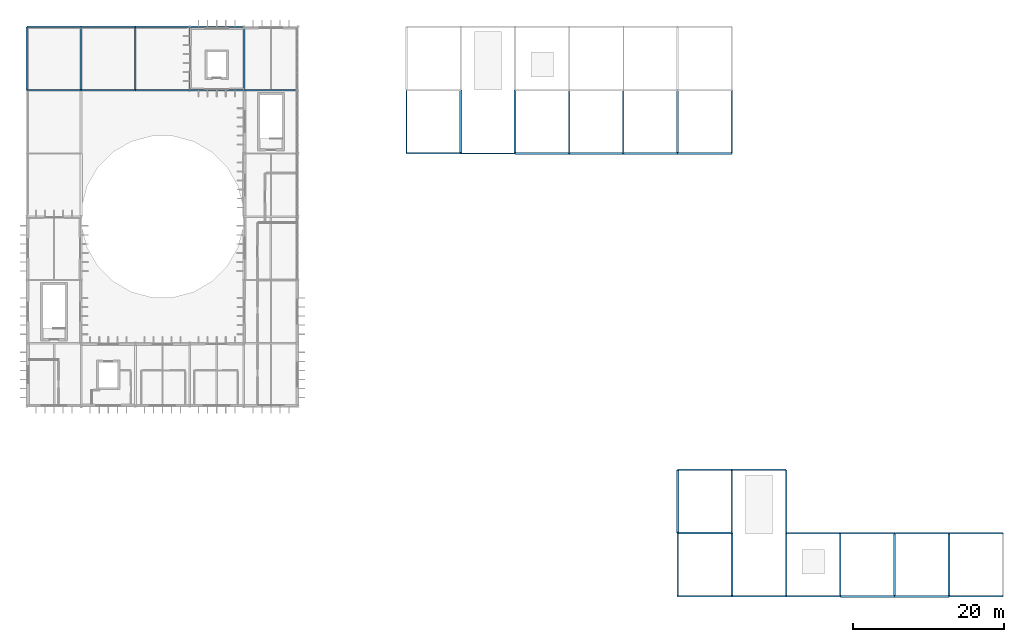
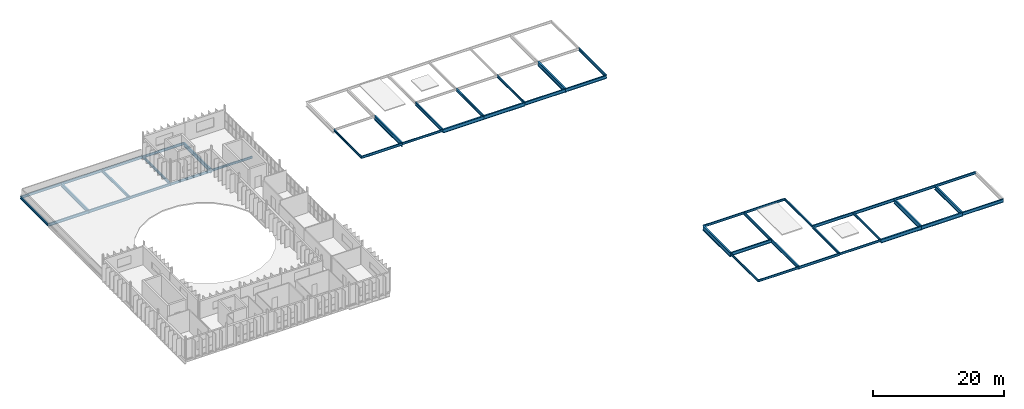
# One storey, part 9 of 18: 49 beams.
"""IFC4 building model written with IfcOpenShell, lengths in metres."""

from ifc_helpers import new_model, si_unit, direction, frame, origin, origin_2d, place, context, subcontext, project, spatial, i_section, extrude, material, material_profile, profile_set, type_object, element, save


model = new_model("IFC4")

# Units and contexts
model_context = context("Model", 3, precision=1e-05, world=origin(), true_north=direction((0.0, 1.0)))
body_context = subcontext(model_context, "Body", "Model", "MODEL_VIEW")
ifc_project = project(units=[si_unit("LENGTHUNIT", "METRE"), si_unit("AREAUNIT", "SQUARE_METRE"), si_unit("VOLUMEUNIT", "CUBIC_METRE"), si_unit("PLANEANGLEUNIT", "RADIAN"), si_unit("MASSUNIT", "GRAM", prefix="KILO")], contexts=[model_context])

# Site, building, storey
site_placement = place(None, origin())
site = spatial("IfcSite", under=ifc_project, at=site_placement, CompositionType="ELEMENT")
building_placement = place(site_placement, origin())
building = spatial("IfcBuilding", under=site, at=building_placement, Name="Qelthora Terrace Specialist Clinic", CompositionType="ELEMENT")
storey_placement = place(building_placement, frame((0.0, 0.0, 21.60009765625)))
storey = spatial("IfcBuildingStorey", under=building, at=storey_placement, Name="L05", CompositionType="ELEMENT", Elevation=21.60009765625)

# Beams
ifc_material = material(Name="Steel S355", Category="steel")
ifc_material_profile_1 = material_profile(ifc_material, i_section(OverallWidth=0.178955078125, OverallDepth=0.409912109375, WebThickness=0.0087890625, FlangeThickness=0.014404296875, FilletRadius=0.011962890625, at=origin_2d()), Name="W410X67")
ifc_profile_set_1 = profile_set([ifc_material_profile_1], Name="Steel S355")
beam_type_1 = type_object("IfcBeamType", Name="BM-W410X67", PredefinedType="BEAM", material=ifc_profile_set_1)
for number, where, z_axis, x_axis, name in (
    (1, (93.60009765625, 33.60009765625, -0.455078125), (1.0, 0.0, 0.0), (0.0, 1.0, 0.0), "Girder BMX-L05-1286"),
    (2, (108.0, 33.60009765625, -0.455078125), (1.0, 0.0, 0.0), (0.0, 1.0, 0.0), "Girder BMX-L05-1288"),
    (3, (100.800048828125, 50.39990234375, -0.455078125), (1.0, 0.0, 0.0), (0.0, 1.0, 0.0), "Girder BMX-L05-1298"),
    (4, (64.800048828125, 92.39990234375, -0.455078125), (1.0, 0.0, 0.0), (0.0, 1.0, 0.0), "Girder BMX-L05-1316"),
):
    element("IfcBeam", number, at=place(storey_placement, frame(where, z_axis=z_axis, x_axis=x_axis)), inside=storey, type_object=beam_type_1, Name=name, PredefinedType="BEAM", context=body_context, shape_type="SweptSolid", body=[
        extrude(i_section(OverallWidth=0.178955078125, OverallDepth=0.409912109375, WebThickness=0.0087890625, FlangeThickness=0.014404296875, FilletRadius=0.011962890625, at=origin_2d()), origin(), (0.0, 0.0, 1.0), 7.199951171875),
    ])
beam_1_placement = place(storey_placement, frame((57.60009765625, 92.39990234375, -0.455078125), z_axis=(0.0, 1.0, 0.0), x_axis=(-1.0, 0.0, 0.0)))
element("IfcBeam", 5, at=beam_1_placement, inside=storey, type_object=beam_type_1, Name="Girder BMY-L05-1370", PredefinedType="BEAM", context=body_context, shape_type="SweptSolid", body=[
    extrude(i_section(OverallWidth=0.178955078125, OverallDepth=0.409912109375, WebThickness=0.0087890625, FlangeThickness=0.014404296875, FilletRadius=0.011962890625, at=origin_2d()), origin(), (0.0, 0.0, 1.0), 8.400146484375),
])
for number, where, z_axis, x_axis, name in (
    (6, (93.60009765625, 33.60009765625, -0.455078125), (0.0, 1.0, 0.0), (-1.0, 0.0, 0.0), "Girder BMY-L05-1380"),
    (7, (115.199951171875, 33.60009765625, -0.455078125), (0.0, 1.0, 0.0), (-1.0, 0.0, 0.0), "Girder BMY-L05-1390"),
):
    element("IfcBeam", number, at=place(storey_placement, frame(where, z_axis=z_axis, x_axis=x_axis)), inside=storey, type_object=beam_type_1, Name=name, PredefinedType="BEAM", context=body_context, shape_type="SweptSolid", body=[
        extrude(i_section(OverallWidth=0.178955078125, OverallDepth=0.409912109375, WebThickness=0.0087890625, FlangeThickness=0.014404296875, FilletRadius=0.011962890625, at=origin_2d()), origin(), (0.0, 0.0, 1.0), 8.39990234375),
    ])
ifc_material_profile_2 = material_profile(ifc_material, i_section(OverallWidth=0.179931640625, OverallDepth=0.4130859375, WebThickness=0.009765625, FlangeThickness=0.01611328125, FilletRadius=0.011962890625, at=origin_2d()), Name="W410X75")
ifc_profile_set_2 = profile_set([ifc_material_profile_2], Name="Steel S355")
beam_type_2 = type_object("IfcBeamType", Name="BM-W410X75", PredefinedType="BEAM", material=ifc_profile_set_2)
for number, where, z_axis, x_axis, name in (
    (8, (93.60009765625, 50.39990234375, -0.45654296875), (1.0, 0.0, 0.0), (0.0, 1.0, 0.0), "Girder BMX-L05-1297"),
    (9, (36.0, 100.800048828125, -0.45654296875), (1.0, 0.0, 0.0), (0.0, 1.0, 0.0), "Girder BMX-L05-1325"),
):
    element("IfcBeam", number, at=place(storey_placement, frame(where, z_axis=z_axis, x_axis=x_axis)), inside=storey, type_object=beam_type_2, Name=name, PredefinedType="BEAM", context=body_context, shape_type="SweptSolid", body=[
        extrude(i_section(OverallWidth=0.179931640625, OverallDepth=0.4130859375, WebThickness=0.009765625, FlangeThickness=0.01611328125, FilletRadius=0.011962890625, at=origin_2d()), origin(), (0.0, 0.0, 1.0), 7.199951171875),
    ])
beam_2_placement = place(storey_placement, frame((108.0, 42.0, -0.45654296875), z_axis=(0.0, 1.0, 0.0), x_axis=(-1.0, 0.0, 0.0)))
element("IfcBeam", 10, at=beam_2_placement, inside=storey, type_object=beam_type_2, Name="Girder BMY-L05-1389", PredefinedType="BEAM", context=body_context, shape_type="SweptSolid", body=[
    extrude(i_section(OverallWidth=0.179931640625, OverallDepth=0.4130859375, WebThickness=0.009765625, FlangeThickness=0.01611328125, FilletRadius=0.011962890625, at=origin_2d()), origin(), (0.0, 0.0, 1.0), 8.39990234375),
])
ifc_material_profile_3 = material_profile(ifc_material, i_section(OverallWidth=0.19091796875, OverallDepth=0.4599609375, WebThickness=0.010009765625, FlangeThickness=0.01611328125, FilletRadius=0.012939453125, at=origin_2d()), Name="W460X82")
ifc_profile_set_3 = profile_set([ifc_material_profile_3], Name="Steel S355")
beam_type_3 = type_object("IfcBeamType", Name="BM-W460X82", PredefinedType="BEAM", material=ifc_profile_set_3)
for number, where, z_axis, x_axis, name in (
    (11, (100.800048828125, 33.60009765625, -0.47998046875), (1.0, 0.0, 0.0), (0.0, 1.0, 0.0), "Girder BMX-L05-1287"),
    (12, (129.60009765625, 42.0, -0.47998046875), (1.0, 0.0, 0.0), (0.0, 1.0, 0.0), "Girder BMX-L05-1296"),
    (13, (57.60009765625, 92.39990234375, -0.47998046875), (1.0, 0.0, 0.0), (0.0, 1.0, 0.0), "Girder BMX-L05-1315"),
    (14, (28.800048828125, 100.800048828125, -0.47998046875), (1.0, 0.0, 0.0), (0.0, 1.0, 0.0), "Girder BMX-L05-1324"),
):
    element("IfcBeam", number, at=place(storey_placement, frame(where, z_axis=z_axis, x_axis=x_axis)), inside=storey, type_object=beam_type_3, Name=name, PredefinedType="BEAM", context=body_context, shape_type="SweptSolid", body=[
        extrude(i_section(OverallWidth=0.19091796875, OverallDepth=0.4599609375, WebThickness=0.010009765625, FlangeThickness=0.01611328125, FilletRadius=0.012939453125, at=origin_2d()), origin(), (0.0, 0.0, 1.0), 7.199951171875),
    ])
beam_3_placement = place(storey_placement, frame((86.39990234375, 92.39990234375, -0.47998046875), z_axis=(0.0, 1.0, 0.0), x_axis=(-1.0, 0.0, 0.0)))
element("IfcBeam", 15, at=beam_3_placement, inside=storey, type_object=beam_type_3, Name="Girder BMY-L05-1378", PredefinedType="BEAM", context=body_context, shape_type="SweptSolid", body=[
    extrude(i_section(OverallWidth=0.19091796875, OverallDepth=0.4599609375, WebThickness=0.010009765625, FlangeThickness=0.01611328125, FilletRadius=0.012939453125, at=origin_2d()), origin(), (0.0, 0.0, 1.0), 8.400146484375),
])
beam_4_placement = place(storey_placement, frame((108.0, 33.60009765625, -0.47998046875), z_axis=(0.0, 1.0, 0.0), x_axis=(-1.0, 0.0, 0.0)))
element("IfcBeam", 16, at=beam_4_placement, inside=storey, type_object=beam_type_3, Name="Girder BMY-L05-1388", PredefinedType="BEAM", context=body_context, shape_type="SweptSolid", body=[
    extrude(i_section(OverallWidth=0.19091796875, OverallDepth=0.4599609375, WebThickness=0.010009765625, FlangeThickness=0.01611328125, FilletRadius=0.012939453125, at=origin_2d()), origin(), (0.0, 0.0, 1.0), 8.39990234375),
])
ifc_material_profile_4 = material_profile(ifc_material, i_section(OverallWidth=0.193115234375, OverallDepth=0.466064453125, WebThickness=0.011474609375, FlangeThickness=0.01904296875, FilletRadius=0.012939453125, at=origin_2d()), Name="W460X97")
ifc_profile_set_4 = profile_set([ifc_material_profile_4], Name="Steel S355")
beam_type_4 = type_object("IfcBeamType", Name="BM-W460X97", PredefinedType="BEAM", material=ifc_profile_set_4)
beam_5_placement = place(storey_placement, frame((122.39990234375, 42.0, -0.483154296875), z_axis=(1.0, 0.0, 0.0), x_axis=(0.0, 1.0, 0.0)))
element("IfcBeam", 17, at=beam_5_placement, inside=storey, type_object=beam_type_4, Name="Girder BMX-L05-1295", PredefinedType="BEAM", context=body_context, shape_type="SweptSolid", body=[
    extrude(i_section(OverallWidth=0.193115234375, OverallDepth=0.466064453125, WebThickness=0.011474609375, FlangeThickness=0.01904296875, FilletRadius=0.012939453125, at=origin_2d()), origin(), (0.0, 0.0, 1.0), 7.2001953125),
])
beam_6_placement = place(storey_placement, frame((21.60009765625, 100.800048828125, -0.483154296875), z_axis=(1.0, 0.0, 0.0), x_axis=(0.0, 1.0, 0.0)))
element("IfcBeam", 18, at=beam_6_placement, inside=storey, type_object=beam_type_4, Name="Girder BMX-L05-1323", PredefinedType="BEAM", context=body_context, shape_type="SweptSolid", body=[
    extrude(i_section(OverallWidth=0.193115234375, OverallDepth=0.466064453125, WebThickness=0.011474609375, FlangeThickness=0.01904296875, FilletRadius=0.012939453125, at=origin_2d()), origin(), (0.0, 0.0, 1.0), 7.199951171875),
])
for number, where, z_axis, x_axis, name in (
    (19, (7.199951171875, 100.800048828125, -0.483154296875), (0.0, 1.0, 0.0), (-1.0, 0.0, 0.0), "Girder BMY-L05-1347"),
    (20, (28.800048828125, 100.800048828125, -0.483154296875), (0.0, 1.0, 0.0), (-1.0, 0.0, 0.0), "Girder BMY-L05-1357"),
):
    element("IfcBeam", number, at=place(storey_placement, frame(where, z_axis=z_axis, x_axis=x_axis)), inside=storey, type_object=beam_type_4, Name=name, PredefinedType="BEAM", context=body_context, shape_type="SweptSolid", body=[
        extrude(i_section(OverallWidth=0.193115234375, OverallDepth=0.466064453125, WebThickness=0.011474609375, FlangeThickness=0.01904296875, FilletRadius=0.012939453125, at=origin_2d()), origin(), (0.0, 0.0, 1.0), 8.39990234375),
    ])
ifc_material_profile_5 = material_profile(ifc_material, i_section(OverallWidth=0.2099609375, OverallDepth=0.537109375, WebThickness=0.010986328125, FlangeThickness=0.017333984375, FilletRadius=0.013916015625, at=origin_2d()), Name="W530X101")
ifc_profile_set_5 = profile_set([ifc_material_profile_5], Name="Steel S355")
beam_type_5 = type_object("IfcBeamType", Name="BM-W530X101", PredefinedType="BEAM", material=ifc_profile_set_5)
beam_7_placement = place(storey_placement, frame((115.199951171875, 42.0, -0.5185546875), z_axis=(1.0, 0.0, 0.0), x_axis=(0.0, 1.0, 0.0)))
element("IfcBeam", 21, at=beam_7_placement, inside=storey, type_object=beam_type_5, Name="Girder BMX-L05-1294", PredefinedType="BEAM", context=body_context, shape_type="SweptSolid", body=[
    extrude(i_section(OverallWidth=0.2099609375, OverallDepth=0.537109375, WebThickness=0.010986328125, FlangeThickness=0.017333984375, FilletRadius=0.013916015625, at=origin_2d()), origin(), (0.0, 0.0, 1.0), 7.199951171875),
])
beam_8_placement = place(storey_placement, frame((14.39990234375, 100.800048828125, -0.5185546875), z_axis=(1.0, 0.0, 0.0), x_axis=(0.0, 1.0, 0.0)))
element("IfcBeam", 22, at=beam_8_placement, inside=storey, type_object=beam_type_5, Name="Girder BMX-L05-1322", PredefinedType="BEAM", context=body_context, shape_type="SweptSolid", body=[
    extrude(i_section(OverallWidth=0.2099609375, OverallDepth=0.537109375, WebThickness=0.010986328125, FlangeThickness=0.017333984375, FilletRadius=0.013916015625, at=origin_2d()), origin(), (0.0, 0.0, 1.0), 7.2001953125),
])
for number, where, z_axis, x_axis, name in (
    (23, (79.199951171875, 92.39990234375, -0.5185546875), (0.0, 1.0, 0.0), (-1.0, 0.0, 0.0), "Girder BMY-L05-1376"),
    (24, (100.800048828125, 92.39990234375, -0.5185546875), (0.0, 1.0, 0.0), (-1.0, 0.0, 0.0), "Girder BMY-L05-1386"),
):
    element("IfcBeam", number, at=place(storey_placement, frame(where, z_axis=z_axis, x_axis=x_axis)), inside=storey, type_object=beam_type_5, Name=name, PredefinedType="BEAM", context=body_context, shape_type="SweptSolid", body=[
        extrude(i_section(OverallWidth=0.2099609375, OverallDepth=0.537109375, WebThickness=0.010986328125, FlangeThickness=0.017333984375, FilletRadius=0.013916015625, at=origin_2d()), origin(), (0.0, 0.0, 1.0), 8.400146484375),
    ])
ifc_material_profile_6 = material_profile(ifc_material, i_section(OverallWidth=0.2119140625, OverallDepth=0.5439453125, WebThickness=0.01318359375, FlangeThickness=0.021240234375, FilletRadius=0.013916015625, at=origin_2d()), Name="W530X123")
ifc_profile_set_6 = profile_set([ifc_material_profile_6], Name="Steel S355")
beam_type_6 = type_object("IfcBeamType", Name="BM-W530X123", PredefinedType="BEAM", material=ifc_profile_set_6)
for number, where, z_axis, x_axis, name in (
    (25, (108.0, 42.0, -0.522216796875), (1.0, 0.0, 0.0), (0.0, 1.0, 0.0), "Girder BMX-L05-1293"),
    (26, (7.199951171875, 100.800048828125, -0.522216796875), (1.0, 0.0, 0.0), (0.0, 1.0, 0.0), "Girder BMX-L05-1321"),
):
    element("IfcBeam", number, at=place(storey_placement, frame(where, z_axis=z_axis, x_axis=x_axis)), inside=storey, type_object=beam_type_6, Name=name, PredefinedType="BEAM", context=body_context, shape_type="SweptSolid", body=[
        extrude(i_section(OverallWidth=0.2119140625, OverallDepth=0.5439453125, WebThickness=0.01318359375, FlangeThickness=0.021240234375, FilletRadius=0.013916015625, at=origin_2d()), origin(), (0.0, 0.0, 1.0), 7.199951171875),
    ])
for number, where, z_axis, x_axis, name in (
    (27, (21.60009765625, 100.800048828125, -0.522216796875), (0.0, 1.0, 0.0), (-1.0, 0.0, 0.0), "Girder BMY-L05-1355"),
    (28, (100.800048828125, 42.0, -0.522216796875), (0.0, 1.0, 0.0), (-1.0, 0.0, 0.0), "Girder BMY-L05-1385"),
):
    element("IfcBeam", number, at=place(storey_placement, frame(where, z_axis=z_axis, x_axis=x_axis)), inside=storey, type_object=beam_type_6, Name=name, PredefinedType="BEAM", context=body_context, shape_type="SweptSolid", body=[
        extrude(i_section(OverallWidth=0.2119140625, OverallDepth=0.5439453125, WebThickness=0.01318359375, FlangeThickness=0.021240234375, FilletRadius=0.013916015625, at=origin_2d()), origin(), (0.0, 0.0, 1.0), 8.39990234375),
    ])
ifc_material_profile_7 = material_profile(ifc_material, i_section(OverallWidth=0.22900390625, OverallDepth=0.612060546875, WebThickness=0.011962890625, FlangeThickness=0.01953125, FilletRadius=0.01611328125, at=origin_2d()), Name="W610X125")
ifc_profile_set_7 = profile_set([ifc_material_profile_7], Name="Steel S355")
beam_type_7 = type_object("IfcBeamType", Name="BM-W610X125", PredefinedType="BEAM", material=ifc_profile_set_7)
for number, where, z_axis, x_axis, name in (
    (29, (93.60009765625, 42.0, -0.55615234375), (1.0, 0.0, 0.0), (0.0, 1.0, 0.0), "Girder BMX-L05-1292"),
    (30, (93.60009765625, 92.39990234375, -0.55615234375), (1.0, 0.0, 0.0), (0.0, 1.0, 0.0), "Girder BMX-L05-1320"),
):
    element("IfcBeam", number, at=place(storey_placement, frame(where, z_axis=z_axis, x_axis=x_axis)), inside=storey, type_object=beam_type_7, Name=name, PredefinedType="BEAM", context=body_context, shape_type="SweptSolid", body=[
        extrude(i_section(OverallWidth=0.22900390625, OverallDepth=0.612060546875, WebThickness=0.011962890625, FlangeThickness=0.01953125, FilletRadius=0.01611328125, at=origin_2d()), origin(), (0.0, 0.0, 1.0), 7.199951171875),
    ])
ifc_material_profile_8 = material_profile(ifc_material, i_section(OverallWidth=0.22998046875, OverallDepth=0.616943359375, WebThickness=0.01318359375, FlangeThickness=0.022216796875, FilletRadius=0.01611328125, at=origin_2d()), Name="W610X140")
ifc_profile_set_8 = profile_set([ifc_material_profile_8], Name="Steel S355")
beam_type_8 = type_object("IfcBeamType", Name="BM-W610X140", PredefinedType="BEAM", material=ifc_profile_set_8)
beam_9_placement = place(storey_placement, frame((129.60009765625, 33.60009765625, -0.55859375), z_axis=(1.0, 0.0, 0.0), x_axis=(0.0, 1.0, 0.0)))
element("IfcBeam", 31, at=beam_9_placement, inside=storey, type_object=beam_type_8, Name="Girder BMX-L05-1291", PredefinedType="BEAM", context=body_context, shape_type="SweptSolid", body=[
    extrude(i_section(OverallWidth=0.22998046875, OverallDepth=0.616943359375, WebThickness=0.01318359375, FlangeThickness=0.022216796875, FilletRadius=0.01611328125, at=origin_2d()), origin(), (0.0, 0.0, 1.0), 7.199951171875),
])
beam_10_placement = place(storey_placement, frame((86.39990234375, 92.39990234375, -0.55859375), z_axis=(1.0, 0.0, 0.0), x_axis=(0.0, 1.0, 0.0)))
element("IfcBeam", 32, at=beam_10_placement, inside=storey, type_object=beam_type_8, Name="Girder BMX-L05-1319", PredefinedType="BEAM", context=body_context, shape_type="SweptSolid", body=[
    extrude(i_section(OverallWidth=0.22998046875, OverallDepth=0.616943359375, WebThickness=0.01318359375, FlangeThickness=0.022216796875, FilletRadius=0.01611328125, at=origin_2d()), origin(), (0.0, 0.0, 1.0), 7.2001953125),
])
beam_11_placement = place(storey_placement, frame((72.0, 92.39990234375, -0.55859375), z_axis=(0.0, 1.0, 0.0), x_axis=(-1.0, 0.0, 0.0)))
element("IfcBeam", 33, at=beam_11_placement, inside=storey, type_object=beam_type_8, Name="Girder BMY-L05-1374", PredefinedType="BEAM", context=body_context, shape_type="SweptSolid", body=[
    extrude(i_section(OverallWidth=0.22998046875, OverallDepth=0.616943359375, WebThickness=0.01318359375, FlangeThickness=0.022216796875, FilletRadius=0.01611328125, at=origin_2d()), origin(), (0.0, 0.0, 1.0), 8.400146484375),
])
beam_12_placement = place(storey_placement, frame((100.800048828125, 33.60009765625, -0.55859375), z_axis=(0.0, 1.0, 0.0), x_axis=(-1.0, 0.0, 0.0)))
element("IfcBeam", 34, at=beam_12_placement, inside=storey, type_object=beam_type_8, Name="Girder BMY-L05-1384", PredefinedType="BEAM", context=body_context, shape_type="SweptSolid", body=[
    extrude(i_section(OverallWidth=0.22998046875, OverallDepth=0.616943359375, WebThickness=0.01318359375, FlangeThickness=0.022216796875, FilletRadius=0.01611328125, at=origin_2d()), origin(), (0.0, 0.0, 1.0), 8.39990234375),
])
ifc_material_profile_9 = material_profile(ifc_material, i_section(OverallWidth=0.25390625, OverallDepth=0.68798828125, WebThickness=0.01318359375, FlangeThickness=0.02099609375, FilletRadius=0.01806640625, at=origin_2d()), Name="W690X152")
ifc_profile_set_9 = profile_set([ifc_material_profile_9], Name="Steel S355")
beam_type_9 = type_object("IfcBeamType", Name="BM-W690X152", PredefinedType="BEAM", material=ifc_profile_set_9)
beam_13_placement = place(storey_placement, frame((122.39990234375, 33.60009765625, -0.593994140625), z_axis=(1.0, 0.0, 0.0), x_axis=(0.0, 1.0, 0.0)))
element("IfcBeam", 35, at=beam_13_placement, inside=storey, type_object=beam_type_9, Name="Girder BMX-L05-1290", PredefinedType="BEAM", context=body_context, shape_type="SweptSolid", body=[
    extrude(i_section(OverallWidth=0.25390625, OverallDepth=0.68798828125, WebThickness=0.01318359375, FlangeThickness=0.02099609375, FilletRadius=0.01806640625, at=origin_2d()), origin(), (0.0, 0.0, 1.0), 7.2001953125),
])
beam_14_placement = place(storey_placement, frame((79.199951171875, 92.39990234375, -0.593994140625), z_axis=(1.0, 0.0, 0.0), x_axis=(0.0, 1.0, 0.0)))
element("IfcBeam", 36, at=beam_14_placement, inside=storey, type_object=beam_type_9, Name="Girder BMX-L05-1318", PredefinedType="BEAM", context=body_context, shape_type="SweptSolid", body=[
    extrude(i_section(OverallWidth=0.25390625, OverallDepth=0.68798828125, WebThickness=0.01318359375, FlangeThickness=0.02099609375, FilletRadius=0.01806640625, at=origin_2d()), origin(), (0.0, 0.0, 1.0), 7.199951171875),
])
ifc_material_profile_10 = material_profile(ifc_material, i_section(OverallWidth=0.256103515625, OverallDepth=0.693115234375, WebThickness=0.014404296875, FlangeThickness=0.023681640625, FilletRadius=0.01806640625, at=origin_2d()), Name="W690X170")
ifc_profile_set_10 = profile_set([ifc_material_profile_10], Name="Steel S355")
beam_type_10 = type_object("IfcBeamType", Name="BM-W690X170", PredefinedType="BEAM", material=ifc_profile_set_10)
for number, where, z_axis, x_axis, name in (
    (37, (115.199951171875, 33.60009765625, -0.5966796875), (1.0, 0.0, 0.0), (0.0, 1.0, 0.0), "Girder BMX-L05-1289"),
    (38, (72.0, 92.39990234375, -0.5966796875), (1.0, 0.0, 0.0), (0.0, 1.0, 0.0), "Girder BMX-L05-1317"),
):
    element("IfcBeam", number, at=place(storey_placement, frame(where, z_axis=z_axis, x_axis=x_axis)), inside=storey, type_object=beam_type_10, Name=name, PredefinedType="BEAM", context=body_context, shape_type="SweptSolid", body=[
        extrude(i_section(OverallWidth=0.256103515625, OverallDepth=0.693115234375, WebThickness=0.014404296875, FlangeThickness=0.023681640625, FilletRadius=0.01806640625, at=origin_2d()), origin(), (0.0, 0.0, 1.0), 7.199951171875),
    ])
for number, where, z_axis, x_axis, name in (
    (39, (14.39990234375, 100.800048828125, -0.5966796875), (0.0, 1.0, 0.0), (-1.0, 0.0, 0.0), "Girder BMY-L05-1353"),
    (40, (36.0, 100.800048828125, -0.5966796875), (0.0, 1.0, 0.0), (-1.0, 0.0, 0.0), "Girder BMY-L05-1363"),
):
    element("IfcBeam", number, at=place(storey_placement, frame(where, z_axis=z_axis, x_axis=x_axis)), inside=storey, type_object=beam_type_10, Name=name, PredefinedType="BEAM", context=body_context, shape_type="SweptSolid", body=[
        extrude(i_section(OverallWidth=0.256103515625, OverallDepth=0.693115234375, WebThickness=0.014404296875, FlangeThickness=0.023681640625, FilletRadius=0.01806640625, at=origin_2d()), origin(), (0.0, 0.0, 1.0), 8.39990234375),
    ])
ifc_material_profile_11 = material_profile(ifc_material, i_section(OverallWidth=0.26806640625, OverallDepth=0.77001953125, WebThickness=0.015625, FlangeThickness=0.025390625, FilletRadius=0.01904296875, at=origin_2d()), Name="W760X196")
ifc_profile_set_11 = profile_set([ifc_material_profile_11], Name="Steel S355")
beam_type_11 = type_object("IfcBeamType", Name="BM-W760X196", PredefinedType="BEAM", material=ifc_profile_set_11)
for number, where, z_axis, x_axis, name in (
    (41, (64.800048828125, 92.39990234375, -0.635009765625), (0.0, 1.0, 0.0), (-1.0, 0.0, 0.0), "Girder BMY-L05-1372"),
    (42, (93.60009765625, 92.39990234375, -0.635009765625), (0.0, 1.0, 0.0), (-1.0, 0.0, 0.0), "Girder BMY-L05-1382"),
):
    element("IfcBeam", number, at=place(storey_placement, frame(where, z_axis=z_axis, x_axis=x_axis)), inside=storey, type_object=beam_type_11, Name=name, PredefinedType="BEAM", context=body_context, shape_type="SweptSolid", body=[
        extrude(i_section(OverallWidth=0.26806640625, OverallDepth=0.77001953125, WebThickness=0.015625, FlangeThickness=0.025390625, FilletRadius=0.01904296875, at=origin_2d()), origin(), (0.0, 0.0, 1.0), 8.400146484375),
    ])
beam_15_placement = place(storey_placement, frame((129.60009765625, 33.60009765625, -0.635009765625), z_axis=(0.0, 1.0, 0.0), x_axis=(-1.0, 0.0, 0.0)))
element("IfcBeam", 43, at=beam_15_placement, inside=storey, type_object=beam_type_11, Name="Girder BMY-L05-1392", PredefinedType="BEAM", context=body_context, shape_type="SweptSolid", body=[
    extrude(i_section(OverallWidth=0.26806640625, OverallDepth=0.77001953125, WebThickness=0.015625, FlangeThickness=0.025390625, FilletRadius=0.01904296875, at=origin_2d()), origin(), (0.0, 0.0, 1.0), 8.39990234375),
])
ifc_material_profile_12 = material_profile(ifc_material, i_section(OverallWidth=0.2939453125, OverallDepth=0.85107421875, WebThickness=0.01611328125, FlangeThickness=0.02685546875, FilletRadius=0.02001953125, at=origin_2d()), Name="W840X226")
ifc_profile_set_12 = profile_set([ifc_material_profile_12], Name="Steel S355")
beam_type_12 = type_object("IfcBeamType", Name="BM-W840X226", PredefinedType="BEAM", material=ifc_profile_set_12)
for number, where, z_axis, x_axis, name in (
    (44, (93.60009765625, 42.0, -0.675537109375), (0.0, 1.0, 0.0), (-1.0, 0.0, 0.0), "Girder BMY-L05-1381"),
    (45, (122.39990234375, 33.60009765625, -0.675537109375), (0.0, 1.0, 0.0), (-1.0, 0.0, 0.0), "Girder BMY-L05-1391"),
):
    element("IfcBeam", number, at=place(storey_placement, frame(where, z_axis=z_axis, x_axis=x_axis)), inside=storey, type_object=beam_type_12, Name=name, PredefinedType="BEAM", context=body_context, shape_type="SweptSolid", body=[
        extrude(i_section(OverallWidth=0.2939453125, OverallDepth=0.85107421875, WebThickness=0.01611328125, FlangeThickness=0.02685546875, FilletRadius=0.02001953125, at=origin_2d()), origin(), (0.0, 0.0, 1.0), 8.39990234375),
    ])
ifc_material_profile_13 = material_profile(ifc_material, i_section(OverallWidth=0.19091796875, OverallDepth=0.4599609375, WebThickness=0.010009765625, FlangeThickness=0.01611328125, FilletRadius=0.012939453125, at=origin_2d()), Name="W460X82")
ifc_profile_set_13 = profile_set([ifc_material_profile_13], Name="Steel S355")
beam_type_13 = type_object("IfcBeamType", Name="SPD-W460X82", PredefinedType="SPANDREL", material=ifc_profile_set_13)
beam_16_placement = place(storey_placement, frame((7.199951171875, 109.199951171875, -0.47998046875), z_axis=(1.0, 0.0, 0.0), x_axis=(0.0, 1.0, 0.0)))
element("IfcBeam", 46, at=beam_16_placement, inside=storey, type_object=beam_type_13, Name="Girder BMX-L05-1331", PredefinedType="SPANDREL", context=body_context, shape_type="SweptSolid", body=[
    extrude(i_section(OverallWidth=0.19091796875, OverallDepth=0.4599609375, WebThickness=0.010009765625, FlangeThickness=0.01611328125, FilletRadius=0.012939453125, at=origin_2d()), origin(), (0.0, 0.0, 1.0), 7.199951171875),
])
beam_17_placement = place(storey_placement, frame((14.39990234375, 109.199951171875, -0.47998046875), z_axis=(1.0, 0.0, 0.0), x_axis=(0.0, 1.0, 0.0)))
element("IfcBeam", 47, at=beam_17_placement, inside=storey, type_object=beam_type_13, Name="Girder BMX-L05-1332", PredefinedType="SPANDREL", context=body_context, shape_type="SweptSolid", body=[
    extrude(i_section(OverallWidth=0.19091796875, OverallDepth=0.4599609375, WebThickness=0.010009765625, FlangeThickness=0.01611328125, FilletRadius=0.012939453125, at=origin_2d()), origin(), (0.0, 0.0, 1.0), 7.2001953125),
])
for number, where, z_axis, x_axis, name in (
    (48, (21.60009765625, 109.199951171875, -0.47998046875), (1.0, 0.0, 0.0), (0.0, 1.0, 0.0), "Girder BMX-L05-1333"),
    (49, (28.800048828125, 109.199951171875, -0.47998046875), (1.0, 0.0, 0.0), (0.0, 1.0, 0.0), "Girder BMX-L05-1334"),
):
    element("IfcBeam", number, at=place(storey_placement, frame(where, z_axis=z_axis, x_axis=x_axis)), inside=storey, type_object=beam_type_13, Name=name, PredefinedType="SPANDREL", context=body_context, shape_type="SweptSolid", body=[
        extrude(i_section(OverallWidth=0.19091796875, OverallDepth=0.4599609375, WebThickness=0.010009765625, FlangeThickness=0.01611328125, FilletRadius=0.012939453125, at=origin_2d()), origin(), (0.0, 0.0, 1.0), 7.199951171875),
    ])

save(model, "model.ifc")
